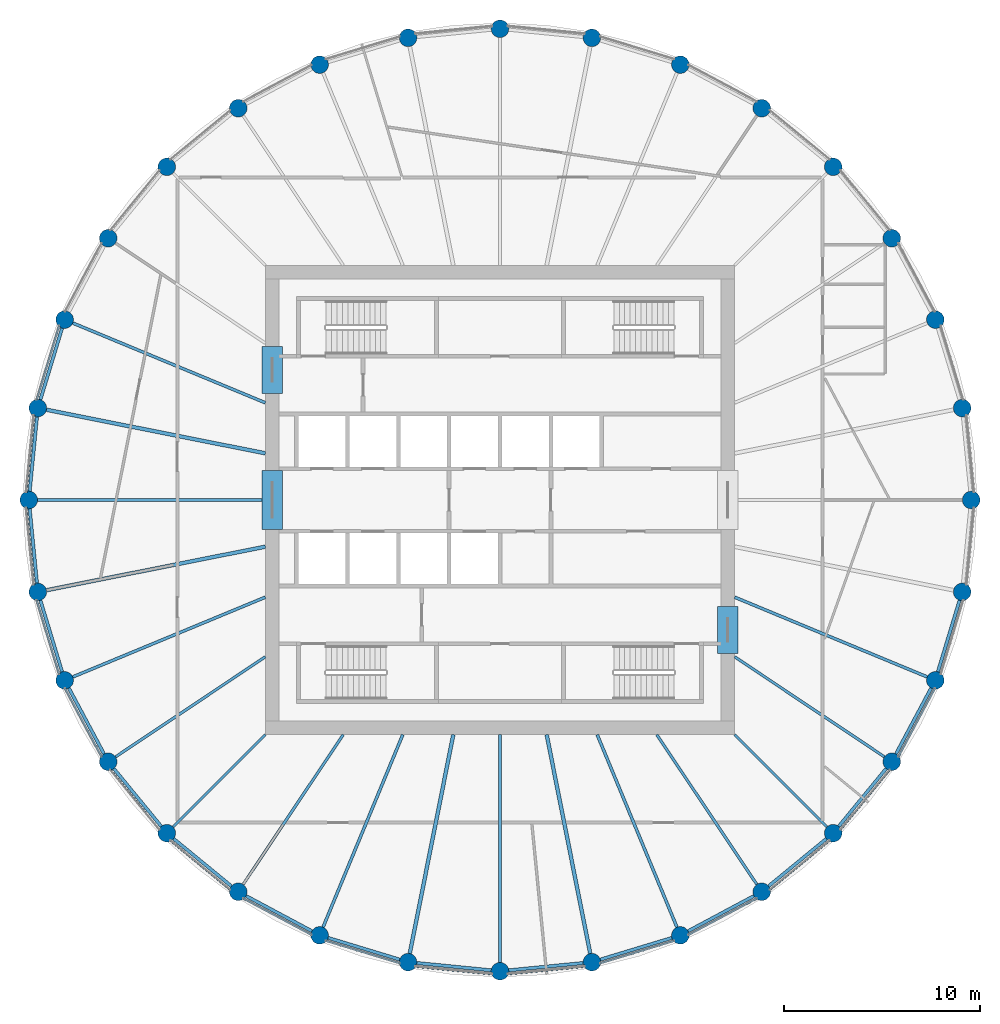
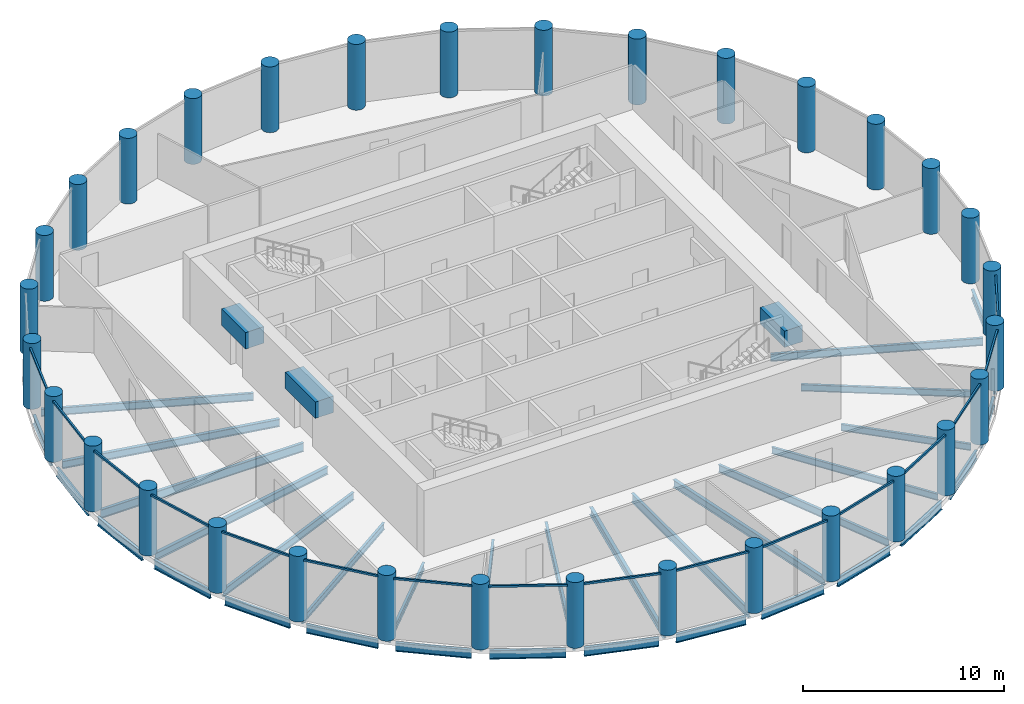
# One storey, part 1 of 7: 37 beams, 32 columns, 16 members, 16 elements without a shape of their own.
"""IFC4 building model written with IfcOpenShell, lengths in metres."""

from ifc_helpers import new_model, si_unit, direction, frame, origin, origin_2d, place, context, subcontext, project, spatial, rectangle, circle, i_section, extrude, material, material_profile, profile_set, type_object, element, aggregate, save


model = new_model("IFC4")

# Units and contexts
model_context = context("Model", 3, precision=1e-05, world=origin(), true_north=direction((0.0, 1.0)))
body_context = subcontext(model_context, "Body", "Model", "MODEL_VIEW")
ifc_project = project(units=[si_unit("LENGTHUNIT", "METRE"), si_unit("AREAUNIT", "SQUARE_METRE"), si_unit("VOLUMEUNIT", "CUBIC_METRE"), si_unit("PLANEANGLEUNIT", "RADIAN"), si_unit("MASSUNIT", "GRAM", prefix="KILO")], contexts=[model_context])

# Site, building, storey
site_placement = place(None, origin())
site = spatial("IfcSite", under=ifc_project, at=site_placement, CompositionType="ELEMENT")
building_placement = place(site_placement, origin())
building = spatial("IfcBuilding", under=site, at=building_placement, Name="Corvane Civic Tower", CompositionType="ELEMENT")
storey_placement = place(building_placement, frame((0.0, 0.0, 291.0)))
storey = spatial("IfcBuildingStorey", under=building, at=storey_placement, Name="L69", CompositionType="ELEMENT", Elevation=291.0)

# Columns
ifc_material_1 = material(Name="Concrete C60/75", Category="concrete")
ifc_material_profile_1 = material_profile(ifc_material_1, circle(Radius=0.449951171875, at=origin_2d()), Name="COLUMN 900")
ifc_profile_set_1 = profile_set([ifc_material_profile_1], Name="Concrete C60/75")
column_type = type_object("IfcColumnType", Name="RC COLUMN COLUMN 900", PredefinedType="COLUMN", material=ifc_profile_set_1)
for number, where, z_axis, x_axis, name in (
    (1, (0.0, 24.10009765625, 0.0), (0.0, 0.0, 1.0), (1.0, 0.0, 0.0), "COL-L69-E01"),
    (2, (4.70166015625, 23.636962890625, 0.0), (0.0, 0.0, 1.0), (1.0, 0.0, 0.0), "COL-L69-E02"),
    (3, (9.22265625, 22.265380859375, 0.0), (0.0, 0.0, 1.0), (1.0, 0.0, 0.0), "COL-L69-E03"),
    (4, (13.38916015625, 20.038330078125, 0.0), (0.0, 0.0, 1.0), (1.0, 0.0, 0.0), "COL-L69-E04"),
    (5, (17.041259765625, 17.041259765625, 0.0), (0.0, 0.0, 1.0), (1.0, 0.0, 0.0), "COL-L69-E05"),
    (6, (20.038330078125, 13.38916015625, 0.0), (0.0, 0.0, 1.0), (1.0, 0.0, 0.0), "COL-L69-E06"),
    (7, (22.265380859375, 9.22265625, 0.0), (0.0, 0.0, 1.0), (1.0, 0.0, 0.0), "COL-L69-E07"),
    (8, (23.636962890625, 4.70166015625, 0.0), (0.0, 0.0, 1.0), (1.0, 0.0, 0.0), "COL-L69-E08"),
    (9, (24.10009765625, 0.0, 0.0), (0.0, 0.0, 1.0), (1.0, 0.0, 0.0), "COL-L69-E09"),
    (10, (23.636962890625, -4.70166015625, 0.0), (0.0, 0.0, 1.0), (1.0, 0.0, 0.0), "COL-L69-E10"),
    (11, (22.265380859375, -9.22265625, 0.0), (0.0, 0.0, 1.0), (1.0, 0.0, 0.0), "COL-L69-E11"),
    (12, (20.038330078125, -13.38916015625, 0.0), (0.0, 0.0, 1.0), (1.0, 0.0, 0.0), "COL-L69-E12"),
    (13, (17.041259765625, -17.041259765625, 0.0), (0.0, 0.0, 1.0), (1.0, 0.0, 0.0), "COL-L69-E13"),
    (14, (13.38916015625, -20.038330078125, 0.0), (0.0, 0.0, 1.0), (1.0, 0.0, 0.0), "COL-L69-E14"),
    (15, (9.22265625, -22.265380859375, 0.0), (0.0, 0.0, 1.0), (1.0, 0.0, 0.0), "COL-L69-E15"),
    (16, (4.70166015625, -23.636962890625, 0.0), (0.0, 0.0, 1.0), (1.0, 0.0, 0.0), "COL-L69-E16"),
    (17, (0.0, -24.10009765625, 0.0), (0.0, 0.0, 1.0), (1.0, 0.0, 0.0), "COL-L69-E17"),
    (18, (-4.70166015625, -23.636962890625, 0.0), (0.0, 0.0, 1.0), (1.0, 0.0, 0.0), "COL-L69-E18"),
    (19, (-9.22265625, -22.265380859375, 0.0), (0.0, 0.0, 1.0), (1.0, 0.0, 0.0), "COL-L69-E19"),
    (20, (-13.38916015625, -20.038330078125, 0.0), (0.0, 0.0, 1.0), (1.0, 0.0, 0.0), "COL-L69-E20"),
    (21, (-17.041259765625, -17.041259765625, 0.0), (0.0, 0.0, 1.0), (1.0, 0.0, 0.0), "COL-L69-E21"),
    (22, (-20.038330078125, -13.38916015625, 0.0), (0.0, 0.0, 1.0), (1.0, 0.0, 0.0), "COL-L69-E22"),
    (23, (-22.265380859375, -9.22265625, 0.0), (0.0, 0.0, 1.0), (1.0, 0.0, 0.0), "COL-L69-E23"),
    (24, (-23.636962890625, -4.70166015625, 0.0), (0.0, 0.0, 1.0), (1.0, 0.0, 0.0), "COL-L69-E24"),
    (25, (-24.10009765625, 0.0, 0.0), (0.0, 0.0, 1.0), (1.0, 0.0, 0.0), "COL-L69-E25"),
    (26, (-23.636962890625, 4.70166015625, 0.0), (0.0, 0.0, 1.0), (1.0, 0.0, 0.0), "COL-L69-E26"),
    (27, (-22.265380859375, 9.22265625, 0.0), (0.0, 0.0, 1.0), (1.0, 0.0, 0.0), "COL-L69-E27"),
    (28, (-20.038330078125, 13.38916015625, 0.0), (0.0, 0.0, 1.0), (1.0, 0.0, 0.0), "COL-L69-E28"),
    (29, (-17.041259765625, 17.041259765625, 0.0), (0.0, 0.0, 1.0), (1.0, 0.0, 0.0), "COL-L69-E29"),
    (30, (-13.38916015625, 20.038330078125, 0.0), (0.0, 0.0, 1.0), (1.0, 0.0, 0.0), "COL-L69-E30"),
    (31, (-9.22265625, 22.265380859375, 0.0), (0.0, 0.0, 1.0), (1.0, 0.0, 0.0), "COL-L69-E31"),
    (32, (-4.70166015625, 23.636962890625, 0.0), (0.0, 0.0, 1.0), (1.0, 0.0, 0.0), "COL-L69-E32"),
):
    element("IfcColumn", number, at=place(storey_placement, frame(where, z_axis=z_axis, x_axis=x_axis)), inside=storey, type_object=column_type, Name=name, PredefinedType="COLUMN", context=body_context, shape_type="SweptSolid", body=[
        extrude(circle(Radius=0.449951171875, at=origin_2d()), origin(), (0.0, 0.0, 1.0), 4.0),
    ])

# Beams
ifc_material_2 = material(Name="Concrete C40/50", Category="concrete")
ifc_material_profile_2 = material_profile(ifc_material_2, rectangle(XDim=1.050048828125, YDim=1.0, at=origin_2d()), Name="COUPLING BEAM 1050X1000")
ifc_profile_set_2 = profile_set([ifc_material_profile_2], Name="Concrete C40/50")
beam_type_1 = type_object("IfcBeamType", Name="COUPLING BEAM COUPLING BEAM 1050X1000", PredefinedType="BEAM", material=ifc_profile_set_2)
beam_1_placement = place(storey_placement, frame((-11.64990234375, -1.5, 2.60009765625), z_axis=(0.0, 1.0, 0.0), x_axis=(-1.0, 0.0, 0.0)))
element("IfcBeam", 33, at=beam_1_placement, inside=storey, type_object=beam_type_1, Name="BM-L69-cpl-CW-LW", PredefinedType="BEAM", context=body_context, shape_type="SweptSolid", body=[
    extrude(rectangle(XDim=1.050048828125, YDim=1.0, at=origin_2d()), origin(), (0.0, 0.0, 1.0), 3.0),
])
for number, where, z_axis, x_axis, name in (
    (34, (-11.64990234375, 5.449951171875, 2.60009765625), (0.0, 1.0, 0.0), (-1.0, 0.0, 0.0), "BM-L69-cpl-CW-WN"),
    (35, (11.64990234375, -7.85009765625, 2.60009765625), (0.0, 1.0, 0.0), (-1.0, 0.0, 0.0), "BM-L69-cpl-CW-ES"),
):
    element("IfcBeam", number, at=place(storey_placement, frame(where, z_axis=z_axis, x_axis=x_axis)), inside=storey, type_object=beam_type_1, Name=name, PredefinedType="BEAM", context=body_context, shape_type="SweptSolid", body=[
        extrude(rectangle(XDim=1.050048828125, YDim=1.0, at=origin_2d()), origin(), (0.0, 0.0, 1.0), 2.400146484375),
    ])
ifc_material_3 = material(Name="Steel ASTM A992 Gr 50", Category="steel")
ifc_material_profile_3 = material_profile(ifc_material_3, i_section(OverallWidth=0.165771484375, OverallDepth=0.5283203125, WebThickness=0.009765625, FlangeThickness=0.013671875, at=origin_2d()), Name="W21X50")
ifc_profile_set_3 = profile_set([ifc_material_profile_3], Name="Steel ASTM A992 Gr 50")
beam_type_2 = type_object("IfcBeamType", Name="EDGE BEAM W21X50", PredefinedType="BEAM", material=ifc_profile_set_3)
beam_2_placement = place(storey_placement, frame((23.50634765625, -5.13232421875, -0.564208984375), z_axis=(-0.290333385085, -0.95692555902, 0.0), x_axis=(0.95692555902, -0.290333385085, 0.0)))
element("IfcBeam", 36, at=beam_2_placement, inside=storey, type_object=beam_type_2, Name="BM-L69-E10", PredefinedType="BEAM", context=body_context, shape_type="SweptSolid", body=[
    extrude(i_section(OverallWidth=0.165771484375, OverallDepth=0.5283203125, WebThickness=0.009765625, FlangeThickness=0.013671875, at=origin_2d()), origin(), (0.0, 0.0, 1.0), 3.824462890625),
])
beam_3_placement = place(storey_placement, frame((22.05322265625, -9.61962890625, -0.564208984375), z_axis=(-0.471409804487, -0.881914279413, 0.0), x_axis=(0.881914279413, -0.471409804487, 0.0)))
element("IfcBeam", 37, at=beam_3_placement, inside=storey, type_object=beam_type_2, Name="BM-L69-E11", PredefinedType="BEAM", context=body_context, shape_type="SweptSolid", body=[
    extrude(i_section(OverallWidth=0.165771484375, OverallDepth=0.5283203125, WebThickness=0.009765625, FlangeThickness=0.013671875, at=origin_2d()), origin(), (0.0, 0.0, 1.0), 3.82421875),
])
for number, where, z_axis, x_axis, name in (
    (38, (19.7529296875, -13.737060546875, -0.564208984375), (-0.634408562057, -0.772997914867, 0.0), (0.772997914867, -0.634408562057, 0.0), "BM-L69-E12"),
    (39, (16.693359375, -17.32666015625, -0.564208984375), (-0.772997914867, -0.634408562057, 0.0), (0.634408562057, -0.772997914867, 0.0), "BM-L69-E13"),
):
    element("IfcBeam", number, at=place(storey_placement, frame(where, z_axis=z_axis, x_axis=x_axis)), inside=storey, type_object=beam_type_2, Name=name, PredefinedType="BEAM", context=body_context, shape_type="SweptSolid", body=[
        extrude(i_section(OverallWidth=0.165771484375, OverallDepth=0.5283203125, WebThickness=0.009765625, FlangeThickness=0.013671875, at=origin_2d()), origin(), (0.0, 0.0, 1.0), 3.824462890625),
    ])
beam_4_placement = place(storey_placement, frame((12.9921875, -20.25048828125, -0.564208984375), z_axis=(-0.881914279413, -0.471409804487, 0.0), x_axis=(0.471409804487, -0.881914279413, 0.0)))
element("IfcBeam", 40, at=beam_4_placement, inside=storey, type_object=beam_type_2, Name="BM-L69-E14", PredefinedType="BEAM", context=body_context, shape_type="SweptSolid", body=[
    extrude(i_section(OverallWidth=0.165771484375, OverallDepth=0.5283203125, WebThickness=0.009765625, FlangeThickness=0.013671875, at=origin_2d()), origin(), (0.0, 0.0, 1.0), 3.82421875),
])
for number, where, z_axis, x_axis, name in (
    (41, (8.7919921875, -22.39599609375, -0.564208984375), (-0.95692555902, -0.290333385085, 0.0), (0.290333385085, -0.95692555902, 0.0), "BM-L69-E15"),
    (42, (4.25390625, -23.68115234375, -0.564208984375), (-0.995187721162, -0.097986732007, 0.0), (0.097986732007, -0.995187721162, 0.0), "BM-L69-E16"),
    (43, (-0.44775390625, -24.055908203125, -0.564208984375), (-0.995187721162, 0.097986732007, 0.0), (-0.097986732007, -0.995187721162, 0.0), "BM-L69-E17"),
    (44, (-5.13232421875, -23.50634765625, -0.564208984375), (-0.95692555902, 0.290333385085, 0.0), (-0.290333385085, -0.95692555902, 0.0), "BM-L69-E18"),
):
    element("IfcBeam", number, at=place(storey_placement, frame(where, z_axis=z_axis, x_axis=x_axis)), inside=storey, type_object=beam_type_2, Name=name, PredefinedType="BEAM", context=body_context, shape_type="SweptSolid", body=[
        extrude(i_section(OverallWidth=0.165771484375, OverallDepth=0.5283203125, WebThickness=0.009765625, FlangeThickness=0.013671875, at=origin_2d()), origin(), (0.0, 0.0, 1.0), 3.824462890625),
    ])
beam_5_placement = place(storey_placement, frame((-9.61962890625, -22.05322265625, -0.564208984375), z_axis=(-0.881914279413, 0.471409804487, 0.0), x_axis=(-0.471409804487, -0.881914279413, 0.0)))
element("IfcBeam", 45, at=beam_5_placement, inside=storey, type_object=beam_type_2, Name="BM-L69-E19", PredefinedType="BEAM", context=body_context, shape_type="SweptSolid", body=[
    extrude(i_section(OverallWidth=0.165771484375, OverallDepth=0.5283203125, WebThickness=0.009765625, FlangeThickness=0.013671875, at=origin_2d()), origin(), (0.0, 0.0, 1.0), 3.82421875),
])
for number, where, z_axis, x_axis, name in (
    (46, (-13.737060546875, -19.7529296875, -0.564208984375), (-0.772997914867, 0.634408562057, 0.0), (-0.634408562057, -0.772997914867, 0.0), "BM-L69-E20"),
    (47, (-17.32666015625, -16.693359375, -0.564208984375), (-0.634408562057, 0.772997914867, 0.0), (-0.772997914867, -0.634408562057, 0.0), "BM-L69-E21"),
):
    element("IfcBeam", number, at=place(storey_placement, frame(where, z_axis=z_axis, x_axis=x_axis)), inside=storey, type_object=beam_type_2, Name=name, PredefinedType="BEAM", context=body_context, shape_type="SweptSolid", body=[
        extrude(i_section(OverallWidth=0.165771484375, OverallDepth=0.5283203125, WebThickness=0.009765625, FlangeThickness=0.013671875, at=origin_2d()), origin(), (0.0, 0.0, 1.0), 3.824462890625),
    ])
beam_6_placement = place(storey_placement, frame((-20.25048828125, -12.9921875, -0.564208984375), z_axis=(-0.471409804487, 0.881914279413, 0.0), x_axis=(-0.881914279413, -0.471409804487, 0.0)))
element("IfcBeam", 48, at=beam_6_placement, inside=storey, type_object=beam_type_2, Name="BM-L69-E22", PredefinedType="BEAM", context=body_context, shape_type="SweptSolid", body=[
    extrude(i_section(OverallWidth=0.165771484375, OverallDepth=0.5283203125, WebThickness=0.009765625, FlangeThickness=0.013671875, at=origin_2d()), origin(), (0.0, 0.0, 1.0), 3.82421875),
])
for number, where, z_axis, x_axis, name in (
    (49, (-22.39599609375, -8.7919921875, -0.564208984375), (-0.290333385085, 0.95692555902, 0.0), (-0.95692555902, -0.290333385085, 0.0), "BM-L69-E23"),
    (50, (-23.68115234375, -4.25390625, -0.564208984375), (-0.097986732007, 0.995187721162, 0.0), (-0.995187721162, -0.097986732007, 0.0), "BM-L69-E24"),
    (51, (-24.055908203125, 0.44775390625, -0.564208984375), (0.097986732007, 0.995187721162, 0.0), (-0.995187721162, 0.097986732007, 0.0), "BM-L69-E25"),
    (52, (-23.50634765625, 5.13232421875, -0.564208984375), (0.290333385085, 0.95692555902, 0.0), (-0.95692555902, 0.290333385085, 0.0), "BM-L69-E26"),
):
    element("IfcBeam", number, at=place(storey_placement, frame(where, z_axis=z_axis, x_axis=x_axis)), inside=storey, type_object=beam_type_2, Name=name, PredefinedType="BEAM", context=body_context, shape_type="SweptSolid", body=[
        extrude(i_section(OverallWidth=0.165771484375, OverallDepth=0.5283203125, WebThickness=0.009765625, FlangeThickness=0.013671875, at=origin_2d()), origin(), (0.0, 0.0, 1.0), 3.824462890625),
    ])
ifc_material_4 = material(Name="Steel ASTM A992 Gr 50", Category="steel")
ifc_material_profile_4 = material_profile(ifc_material_4, i_section(OverallWidth=0.140380859375, OverallDepth=0.40380859375, WebThickness=0.007080078125, FlangeThickness=0.01123046875, at=origin_2d()), Name="W16X31")
ifc_profile_set_4 = profile_set([ifc_material_profile_4], Name="Steel ASTM A992 Gr 50")
beam_type_3 = type_object("IfcBeamType", Name="FLOOR GIRDER W16X31", PredefinedType="BEAM", material=ifc_profile_set_4)
beam_7_placement = place(storey_placement, frame((12.0, -8.01806640625, -0.501953125), z_axis=(0.831471227061, -0.555567816355, 0.0), x_axis=(0.555567816355, 0.831471227061, 0.0)))
element("IfcBeam", 53, at=beam_7_placement, inside=storey, type_object=beam_type_3, Name="BM-L69-G12", PredefinedType="BEAM", context=body_context, shape_type="SweptSolid", body=[
    extrude(i_section(OverallWidth=0.140380859375, OverallDepth=0.40380859375, WebThickness=0.007080078125, FlangeThickness=0.01123046875, at=origin_2d()), origin(), (0.0, 0.0, 1.0), 9.2177734375),
])
beam_8_placement = place(storey_placement, frame((12.0, -12.0, -0.501953125), z_axis=(0.707106781187, -0.707106781187, 0.0), x_axis=(0.707106781187, 0.707106781187, 0.0)))
element("IfcBeam", 54, at=beam_8_placement, inside=storey, type_object=beam_type_3, Name="BM-L69-G13", PredefinedType="BEAM", context=body_context, shape_type="SweptSolid", body=[
    extrude(i_section(OverallWidth=0.140380859375, OverallDepth=0.40380859375, WebThickness=0.007080078125, FlangeThickness=0.01123046875, at=origin_2d()), origin(), (0.0, 0.0, 1.0), 6.679443359375),
])
for number, where, z_axis, x_axis, name in (
    (55, (8.01806640625, -12.0, -0.501953125), (0.555567816355, -0.831471227061, 0.0), (0.831471227061, 0.555567816355, 0.0), "BM-L69-G14"),
    (56, (-8.01806640625, -12.0, -0.501953125), (-0.555567816355, -0.831471227061, 0.0), (0.831471227061, -0.555567816355, 0.0), "BM-L69-G20"),
):
    element("IfcBeam", number, at=place(storey_placement, frame(where, z_axis=z_axis, x_axis=x_axis)), inside=storey, type_object=beam_type_3, Name=name, PredefinedType="BEAM", context=body_context, shape_type="SweptSolid", body=[
        extrude(i_section(OverallWidth=0.140380859375, OverallDepth=0.40380859375, WebThickness=0.007080078125, FlangeThickness=0.01123046875, at=origin_2d()), origin(), (0.0, 0.0, 1.0), 9.2177734375),
    ])
beam_9_placement = place(storey_placement, frame((-12.0, -12.0, -0.501953125), z_axis=(-0.707106781187, -0.707106781187, 0.0), x_axis=(0.707106781187, -0.707106781187, 0.0)))
element("IfcBeam", 57, at=beam_9_placement, inside=storey, type_object=beam_type_3, Name="BM-L69-G21", PredefinedType="BEAM", context=body_context, shape_type="SweptSolid", body=[
    extrude(i_section(OverallWidth=0.140380859375, OverallDepth=0.40380859375, WebThickness=0.007080078125, FlangeThickness=0.01123046875, at=origin_2d()), origin(), (0.0, 0.0, 1.0), 6.679443359375),
])
beam_10_placement = place(storey_placement, frame((-12.0, -8.01806640625, -0.501953125), z_axis=(-0.831471227061, -0.555567816355, 0.0), x_axis=(0.555567816355, -0.831471227061, 0.0)))
element("IfcBeam", 58, at=beam_10_placement, inside=storey, type_object=beam_type_3, Name="BM-L69-G22", PredefinedType="BEAM", context=body_context, shape_type="SweptSolid", body=[
    extrude(i_section(OverallWidth=0.140380859375, OverallDepth=0.40380859375, WebThickness=0.007080078125, FlangeThickness=0.01123046875, at=origin_2d()), origin(), (0.0, 0.0, 1.0), 9.2177734375),
])
ifc_material_5 = material(Name="Steel ASTM A992 Gr 50", Category="steel")
ifc_material_profile_5 = material_profile(ifc_material_5, i_section(OverallWidth=0.15283203125, OverallDepth=0.45458984375, WebThickness=0.008056640625, FlangeThickness=0.013427734375, at=origin_2d()), Name="W18X40")
ifc_profile_set_5 = profile_set([ifc_material_profile_5], Name="Steel ASTM A992 Gr 50")
beam_type_4 = type_object("IfcBeamType", Name="FLOOR GIRDER W18X40", PredefinedType="BEAM", material=ifc_profile_set_5)
for number, where, z_axis, x_axis, name in (
    (59, (12.0, -4.970458984375, -0.52734375), (0.923875048589, -0.382694257331, 0.0), (0.382694257331, 0.923875048589, 0.0), "BM-L69-G11"),
    (60, (4.970458984375, -12.0, -0.52734375), (0.382694257331, -0.923875048589, 0.0), (0.923875048589, 0.382694257331, 0.0), "BM-L69-G15"),
    (61, (-4.970458984375, -12.0, -0.52734375), (-0.382694257331, -0.923875048589, 0.0), (0.923875048589, -0.382694257331, 0.0), "BM-L69-G19"),
    (62, (-12.0, -4.970458984375, -0.52734375), (-0.923875048589, -0.382694257331, 0.0), (0.382694257331, -0.923875048589, 0.0), "BM-L69-G23"),
    (63, (-12.0, 4.970458984375, -0.52734375), (-0.923875048589, 0.382694257331, 0.0), (-0.382694257331, -0.923875048589, 0.0), "BM-L69-G27"),
):
    element("IfcBeam", number, at=place(storey_placement, frame(where, z_axis=z_axis, x_axis=x_axis)), inside=storey, type_object=beam_type_4, Name=name, PredefinedType="BEAM", context=body_context, shape_type="SweptSolid", body=[
        extrude(i_section(OverallWidth=0.15283203125, OverallDepth=0.45458984375, WebThickness=0.008056640625, FlangeThickness=0.013427734375, at=origin_2d()), origin(), (0.0, 0.0, 1.0), 10.661376953125),
    ])
ifc_material_6 = material(Name="Steel ASTM A992 Gr 50", Category="steel")
ifc_material_profile_6 = material_profile(ifc_material_6, i_section(OverallWidth=0.1904296875, OverallDepth=0.457275390625, WebThickness=0.009033203125, FlangeThickness=0.014404296875, at=origin_2d()), Name="W18X50")
ifc_profile_set_6 = profile_set([ifc_material_profile_6], Name="Steel ASTM A992 Gr 50")
beam_type_5 = type_object("IfcBeamType", Name="FLOOR GIRDER W18X50", PredefinedType="BEAM", material=ifc_profile_set_6)
for number, where, z_axis, x_axis, name in (
    (64, (2.386962890625, -12.0, -0.528564453125), (0.195079532402, -0.980787426529, 0.0), (0.980787426529, 0.195079532402, 0.0), "BM-L69-G16"),
    (65, (-2.386962890625, -12.0, -0.528564453125), (-0.195079532402, -0.980787426529, 0.0), (0.980787426529, -0.195079532402, 0.0), "BM-L69-G18"),
    (66, (-12.0, -2.386962890625, -0.528564453125), (-0.980787426529, -0.195079532402, 0.0), (0.195079532402, -0.980787426529, 0.0), "BM-L69-G24"),
    (67, (-12.0, 2.386962890625, -0.528564453125), (-0.980787426529, 0.195079532402, 0.0), (-0.195079532402, -0.980787426529, 0.0), "BM-L69-G26"),
):
    element("IfcBeam", number, at=place(storey_placement, frame(where, z_axis=z_axis, x_axis=x_axis)), inside=storey, type_object=beam_type_5, Name=name, PredefinedType="BEAM", context=body_context, shape_type="SweptSolid", body=[
        extrude(i_section(OverallWidth=0.1904296875, OverallDepth=0.457275390625, WebThickness=0.009033203125, FlangeThickness=0.014404296875, at=origin_2d()), origin(), (0.0, 0.0, 1.0), 11.414794921875),
    ])
ifc_material_7 = material(Name="Steel ASTM A992 Gr 50", Category="steel")
ifc_material_profile_7 = material_profile(ifc_material_7, i_section(OverallWidth=0.165771484375, OverallDepth=0.5283203125, WebThickness=0.009765625, FlangeThickness=0.013671875, at=origin_2d()), Name="W21X50")
ifc_profile_set_7 = profile_set([ifc_material_profile_7], Name="Steel ASTM A992 Gr 50")
beam_type_6 = type_object("IfcBeamType", Name="FLOOR GIRDER W21X50", PredefinedType="BEAM", material=ifc_profile_set_7)
for number, where, z_axis, x_axis, name in (
    (68, (0.0, -12.0, -0.564208984375), (0.0, -1.0, 0.0), (1.0, 0.0, 0.0), "BM-L69-G17"),
    (69, (-12.0, 0.0, -0.564208984375), (-1.0, 0.0, 0.0), (0.0, -1.0, 0.0), "BM-L69-G25"),
):
    element("IfcBeam", number, at=place(storey_placement, frame(where, z_axis=z_axis, x_axis=x_axis)), inside=storey, type_object=beam_type_6, Name=name, PredefinedType="BEAM", context=body_context, shape_type="SweptSolid", body=[
        extrude(i_section(OverallWidth=0.165771484375, OverallDepth=0.5283203125, WebThickness=0.009765625, FlangeThickness=0.013671875, at=origin_2d()), origin(), (0.0, 0.0, 1.0), 11.64990234375),
    ])

# Curtain wall, member
ifc_material_8 = material(Name="Anodised aluminium bronze", Category="aluminium")
curtain_wall_type = type_object("IfcCurtainWallType", Name="TOWER CW-T3 STICK CURTAIN WALL", PredefinedType="NOTDEFINED", material=ifc_material_8)
curtain_wall_1_placement = place(storey_placement, origin())
curtain_wall_1 = element("IfcCurtainWall", 70, at=curtain_wall_1_placement, inside=storey, type_object=curtain_wall_type, Name="Curtain wall CW-T3 L69 bay 11", PredefinedType="NOTDEFINED")
ifc_material_9 = material(Name="Anodised aluminium bronze", Category="aluminium")
ifc_material_profile_8 = material_profile(ifc_material_9, rectangle(XDim=0.10009765625, YDim=0.1201171875, at=origin_2d()), Name="TOWER CW-T3 TRANSOM 100x120")
ifc_profile_set_8 = profile_set([ifc_material_profile_8], Name="Anodised aluminium bronze")
member_type = type_object("IfcMemberType", Name="TOWER CW-T3 TRANSOM 100x120", PredefinedType="USERDEFINED", material=ifc_profile_set_8)
member_1_placement = place(storey_placement, frame((22.2431640625, -9.644775390625, 3.68994140625), z_axis=(-0.471468241052, -0.881883040816, 0.0), x_axis=(0.881883040816, -0.471468241052, 0.0)))
member_1 = element("IfcMember", 71, at=member_1_placement, type_object=member_type, Name="Transom CW-T3 L69 11.1", ObjectType="TRANSOM", PredefinedType="USERDEFINED", context=body_context, shape_type="SweptSolid", body=[
    extrude(rectangle(XDim=0.10009765625, YDim=0.1201171875, at=origin_2d()), origin(), (0.0, 0.0, 1.0), 3.958740234375),
])
aggregate(curtain_wall_1, [member_1])

curtain_wall_2_placement = place(storey_placement, origin())
curtain_wall_2 = element("IfcCurtainWall", 72, at=curtain_wall_2_placement, inside=storey, type_object=curtain_wall_type, Name="Curtain wall CW-T3 L69 bay 12", PredefinedType="NOTDEFINED")
member_2_placement = place(storey_placement, frame((19.93408203125, -13.798828125, 3.68994140625), z_axis=(-0.634415838373, -0.772991943051, 0.0), x_axis=(0.772991943051, -0.634415838373, 0.0)))
member_2 = element("IfcMember", 73, at=member_2_placement, type_object=member_type, Name="Transom CW-T3 L69 12.1", ObjectType="TRANSOM", PredefinedType="USERDEFINED", context=body_context, shape_type="SweptSolid", body=[
    extrude(rectangle(XDim=0.10009765625, YDim=0.1201171875, at=origin_2d()), origin(), (0.0, 0.0, 1.0), 3.958740234375),
])
aggregate(curtain_wall_2, [member_2])

curtain_wall_3_placement = place(storey_placement, origin())
curtain_wall_3 = element("IfcCurtainWall", 74, at=curtain_wall_3_placement, inside=storey, type_object=curtain_wall_type, Name="Curtain wall CW-T3 L69 bay 13", PredefinedType="NOTDEFINED")
member_3_placement = place(storey_placement, frame((16.85888671875, -17.422607421875, 3.68994140625), z_axis=(-0.772991943051, -0.634415838373, 0.0), x_axis=(0.634415838373, -0.772991943051, 0.0)))
member_3 = element("IfcMember", 75, at=member_3_placement, type_object=member_type, Name="Transom CW-T3 L69 13.1", ObjectType="TRANSOM", PredefinedType="USERDEFINED", context=body_context, shape_type="SweptSolid", body=[
    extrude(rectangle(XDim=0.10009765625, YDim=0.1201171875, at=origin_2d()), origin(), (0.0, 0.0, 1.0), 3.958740234375),
])
aggregate(curtain_wall_3, [member_3])

curtain_wall_4_placement = place(storey_placement, origin())
curtain_wall_4 = element("IfcCurtainWall", 76, at=curtain_wall_4_placement, inside=storey, type_object=curtain_wall_type, Name="Curtain wall CW-T3 L69 bay 14", PredefinedType="NOTDEFINED")
member_4_placement = place(storey_placement, frame((13.135986328125, -20.376708984375, 3.68994140625), z_axis=(-0.881883040816, -0.471468241052, 0.0), x_axis=(0.471468241052, -0.881883040816, 0.0)))
member_4 = element("IfcMember", 77, at=member_4_placement, type_object=member_type, Name="Transom CW-T3 L69 14.1", ObjectType="TRANSOM", PredefinedType="USERDEFINED", context=body_context, shape_type="SweptSolid", body=[
    extrude(rectangle(XDim=0.10009765625, YDim=0.1201171875, at=origin_2d()), origin(), (0.0, 0.0, 1.0), 3.958740234375),
])
aggregate(curtain_wall_4, [member_4])

curtain_wall_5_placement = place(storey_placement, origin())
curtain_wall_5 = element("IfcCurtainWall", 78, at=curtain_wall_5_placement, inside=storey, type_object=curtain_wall_type, Name="Curtain wall CW-T3 L69 bay 15", PredefinedType="NOTDEFINED")
member_5_placement = place(storey_placement, frame((8.908447265625, -22.548095703125, 3.68994140625), z_axis=(-0.956946054205, -0.290265825309, 0.0), x_axis=(0.290265825309, -0.956946054205, 0.0)))
member_5 = element("IfcMember", 79, at=member_5_placement, type_object=member_type, Name="Transom CW-T3 L69 15.1", ObjectType="TRANSOM", PredefinedType="USERDEFINED", context=body_context, shape_type="SweptSolid", body=[
    extrude(rectangle(XDim=0.10009765625, YDim=0.1201171875, at=origin_2d()), origin(), (0.0, 0.0, 1.0), 3.958984375),
])
aggregate(curtain_wall_5, [member_5])

curtain_wall_6_placement = place(storey_placement, origin())
curtain_wall_6 = element("IfcCurtainWall", 80, at=curtain_wall_6_placement, inside=storey, type_object=curtain_wall_type, Name="Curtain wall CW-T3 L69 bay 16", PredefinedType="NOTDEFINED")
member_6_placement = place(storey_placement, frame((4.338134765625, -23.852783203125, 3.68994140625), z_axis=(-0.995186866683, -0.097995409999, 0.0), x_axis=(0.097995409999, -0.995186866683, 0.0)))
member_6 = element("IfcMember", 81, at=member_6_placement, type_object=member_type, Name="Transom CW-T3 L69 16.1", ObjectType="TRANSOM", PredefinedType="USERDEFINED", context=body_context, shape_type="SweptSolid", body=[
    extrude(rectangle(XDim=0.10009765625, YDim=0.1201171875, at=origin_2d()), origin(), (0.0, 0.0, 1.0), 3.958740234375),
])
aggregate(curtain_wall_6, [member_6])

curtain_wall_7_placement = place(storey_placement, origin())
curtain_wall_7 = element("IfcCurtainWall", 82, at=curtain_wall_7_placement, inside=storey, type_object=curtain_wall_type, Name="Curtain wall CW-T3 L69 bay 17", PredefinedType="NOTDEFINED")
member_7_placement = place(storey_placement, frame((-0.3984375, -24.24072265625, 3.68994140625), z_axis=(-0.995186866683, 0.097995409999, 0.0), x_axis=(-0.097995409999, -0.995186866683, 0.0)))
member_7 = element("IfcMember", 83, at=member_7_placement, type_object=member_type, Name="Transom CW-T3 L69 17.1", ObjectType="TRANSOM", PredefinedType="USERDEFINED", context=body_context, shape_type="SweptSolid", body=[
    extrude(rectangle(XDim=0.10009765625, YDim=0.1201171875, at=origin_2d()), origin(), (0.0, 0.0, 1.0), 3.958740234375),
])
aggregate(curtain_wall_7, [member_7])

curtain_wall_8_placement = place(storey_placement, origin())
curtain_wall_8 = element("IfcCurtainWall", 84, at=curtain_wall_8_placement, inside=storey, type_object=curtain_wall_type, Name="Curtain wall CW-T3 L69 bay 18", PredefinedType="NOTDEFINED")
member_8_placement = place(storey_placement, frame((-5.119873046875, -23.697265625, 3.68994140625), z_axis=(-0.956946054205, 0.290265825309, 0.0), x_axis=(-0.290265825309, -0.956946054205, 0.0)))
member_8 = element("IfcMember", 85, at=member_8_placement, type_object=member_type, Name="Transom CW-T3 L69 18.1", ObjectType="TRANSOM", PredefinedType="USERDEFINED", context=body_context, shape_type="SweptSolid", body=[
    extrude(rectangle(XDim=0.10009765625, YDim=0.1201171875, at=origin_2d()), origin(), (0.0, 0.0, 1.0), 3.958984375),
])
aggregate(curtain_wall_8, [member_8])

curtain_wall_9_placement = place(storey_placement, origin())
curtain_wall_9 = element("IfcCurtainWall", 86, at=curtain_wall_9_placement, inside=storey, type_object=curtain_wall_type, Name="Curtain wall CW-T3 L69 bay 19", PredefinedType="NOTDEFINED")
member_9_placement = place(storey_placement, frame((-9.644775390625, -22.2431640625, 3.68994140625), z_axis=(-0.881883040816, 0.471468241052, 0.0), x_axis=(-0.471468241052, -0.881883040816, 0.0)))
member_9 = element("IfcMember", 87, at=member_9_placement, type_object=member_type, Name="Transom CW-T3 L69 19.1", ObjectType="TRANSOM", PredefinedType="USERDEFINED", context=body_context, shape_type="SweptSolid", body=[
    extrude(rectangle(XDim=0.10009765625, YDim=0.1201171875, at=origin_2d()), origin(), (0.0, 0.0, 1.0), 3.958740234375),
])
aggregate(curtain_wall_9, [member_9])

curtain_wall_10_placement = place(storey_placement, origin())
curtain_wall_10 = element("IfcCurtainWall", 88, at=curtain_wall_10_placement, inside=storey, type_object=curtain_wall_type, Name="Curtain wall CW-T3 L69 bay 20", PredefinedType="NOTDEFINED")
member_10_placement = place(storey_placement, frame((-13.798828125, -19.93408203125, 3.68994140625), z_axis=(-0.772991943051, 0.634415838373, 0.0), x_axis=(-0.634415838373, -0.772991943051, 0.0)))
member_10 = element("IfcMember", 89, at=member_10_placement, type_object=member_type, Name="Transom CW-T3 L69 20.1", ObjectType="TRANSOM", PredefinedType="USERDEFINED", context=body_context, shape_type="SweptSolid", body=[
    extrude(rectangle(XDim=0.10009765625, YDim=0.1201171875, at=origin_2d()), origin(), (0.0, 0.0, 1.0), 3.958740234375),
])
aggregate(curtain_wall_10, [member_10])

curtain_wall_11_placement = place(storey_placement, origin())
curtain_wall_11 = element("IfcCurtainWall", 90, at=curtain_wall_11_placement, inside=storey, type_object=curtain_wall_type, Name="Curtain wall CW-T3 L69 bay 21", PredefinedType="NOTDEFINED")
member_11_placement = place(storey_placement, frame((-17.422607421875, -16.85888671875, 3.68994140625), z_axis=(-0.634415838373, 0.772991943051, 0.0), x_axis=(-0.772991943051, -0.634415838373, 0.0)))
member_11 = element("IfcMember", 91, at=member_11_placement, type_object=member_type, Name="Transom CW-T3 L69 21.1", ObjectType="TRANSOM", PredefinedType="USERDEFINED", context=body_context, shape_type="SweptSolid", body=[
    extrude(rectangle(XDim=0.10009765625, YDim=0.1201171875, at=origin_2d()), origin(), (0.0, 0.0, 1.0), 3.958740234375),
])
aggregate(curtain_wall_11, [member_11])

curtain_wall_12_placement = place(storey_placement, origin())
curtain_wall_12 = element("IfcCurtainWall", 92, at=curtain_wall_12_placement, inside=storey, type_object=curtain_wall_type, Name="Curtain wall CW-T3 L69 bay 22", PredefinedType="NOTDEFINED")
member_12_placement = place(storey_placement, frame((-20.376708984375, -13.135986328125, 3.68994140625), z_axis=(-0.471468241052, 0.881883040816, 0.0), x_axis=(-0.881883040816, -0.471468241052, 0.0)))
member_12 = element("IfcMember", 93, at=member_12_placement, type_object=member_type, Name="Transom CW-T3 L69 22.1", ObjectType="TRANSOM", PredefinedType="USERDEFINED", context=body_context, shape_type="SweptSolid", body=[
    extrude(rectangle(XDim=0.10009765625, YDim=0.1201171875, at=origin_2d()), origin(), (0.0, 0.0, 1.0), 3.958740234375),
])
aggregate(curtain_wall_12, [member_12])

curtain_wall_13_placement = place(storey_placement, origin())
curtain_wall_13 = element("IfcCurtainWall", 94, at=curtain_wall_13_placement, inside=storey, type_object=curtain_wall_type, Name="Curtain wall CW-T3 L69 bay 23", PredefinedType="NOTDEFINED")
member_13_placement = place(storey_placement, frame((-22.548095703125, -8.908447265625, 3.68994140625), z_axis=(-0.290265825309, 0.956946054205, 0.0), x_axis=(-0.956946054205, -0.290265825309, 0.0)))
member_13 = element("IfcMember", 95, at=member_13_placement, type_object=member_type, Name="Transom CW-T3 L69 23.1", ObjectType="TRANSOM", PredefinedType="USERDEFINED", context=body_context, shape_type="SweptSolid", body=[
    extrude(rectangle(XDim=0.10009765625, YDim=0.1201171875, at=origin_2d()), origin(), (0.0, 0.0, 1.0), 3.958984375),
])
aggregate(curtain_wall_13, [member_13])

curtain_wall_14_placement = place(storey_placement, origin())
curtain_wall_14 = element("IfcCurtainWall", 96, at=curtain_wall_14_placement, inside=storey, type_object=curtain_wall_type, Name="Curtain wall CW-T3 L69 bay 24", PredefinedType="NOTDEFINED")
member_14_placement = place(storey_placement, frame((-23.852783203125, -4.338134765625, 3.68994140625), z_axis=(-0.097995409999, 0.995186866683, 0.0), x_axis=(-0.995186866683, -0.097995409999, 0.0)))
member_14 = element("IfcMember", 97, at=member_14_placement, type_object=member_type, Name="Transom CW-T3 L69 24.1", ObjectType="TRANSOM", PredefinedType="USERDEFINED", context=body_context, shape_type="SweptSolid", body=[
    extrude(rectangle(XDim=0.10009765625, YDim=0.1201171875, at=origin_2d()), origin(), (0.0, 0.0, 1.0), 3.958740234375),
])
aggregate(curtain_wall_14, [member_14])

curtain_wall_15_placement = place(storey_placement, origin())
curtain_wall_15 = element("IfcCurtainWall", 98, at=curtain_wall_15_placement, inside=storey, type_object=curtain_wall_type, Name="Curtain wall CW-T3 L69 bay 25", PredefinedType="NOTDEFINED")
member_15_placement = place(storey_placement, frame((-24.24072265625, 0.3984375, 3.68994140625), z_axis=(0.097995409999, 0.995186866683, 0.0), x_axis=(-0.995186866683, 0.097995409999, 0.0)))
member_15 = element("IfcMember", 99, at=member_15_placement, type_object=member_type, Name="Transom CW-T3 L69 25.1", ObjectType="TRANSOM", PredefinedType="USERDEFINED", context=body_context, shape_type="SweptSolid", body=[
    extrude(rectangle(XDim=0.10009765625, YDim=0.1201171875, at=origin_2d()), origin(), (0.0, 0.0, 1.0), 3.958740234375),
])
aggregate(curtain_wall_15, [member_15])

curtain_wall_16_placement = place(storey_placement, origin())
curtain_wall_16 = element("IfcCurtainWall", 100, at=curtain_wall_16_placement, inside=storey, type_object=curtain_wall_type, Name="Curtain wall CW-T3 L69 bay 26", PredefinedType="NOTDEFINED")
member_16_placement = place(storey_placement, frame((-23.697265625, 5.119873046875, 3.68994140625), z_axis=(0.290265825309, 0.956946054205, 0.0), x_axis=(-0.956946054205, 0.290265825309, 0.0)))
member_16 = element("IfcMember", 101, at=member_16_placement, type_object=member_type, Name="Transom CW-T3 L69 26.1", ObjectType="TRANSOM", PredefinedType="USERDEFINED", context=body_context, shape_type="SweptSolid", body=[
    extrude(rectangle(XDim=0.10009765625, YDim=0.1201171875, at=origin_2d()), origin(), (0.0, 0.0, 1.0), 3.958984375),
])
aggregate(curtain_wall_16, [member_16])

save(model, "model.ifc")
